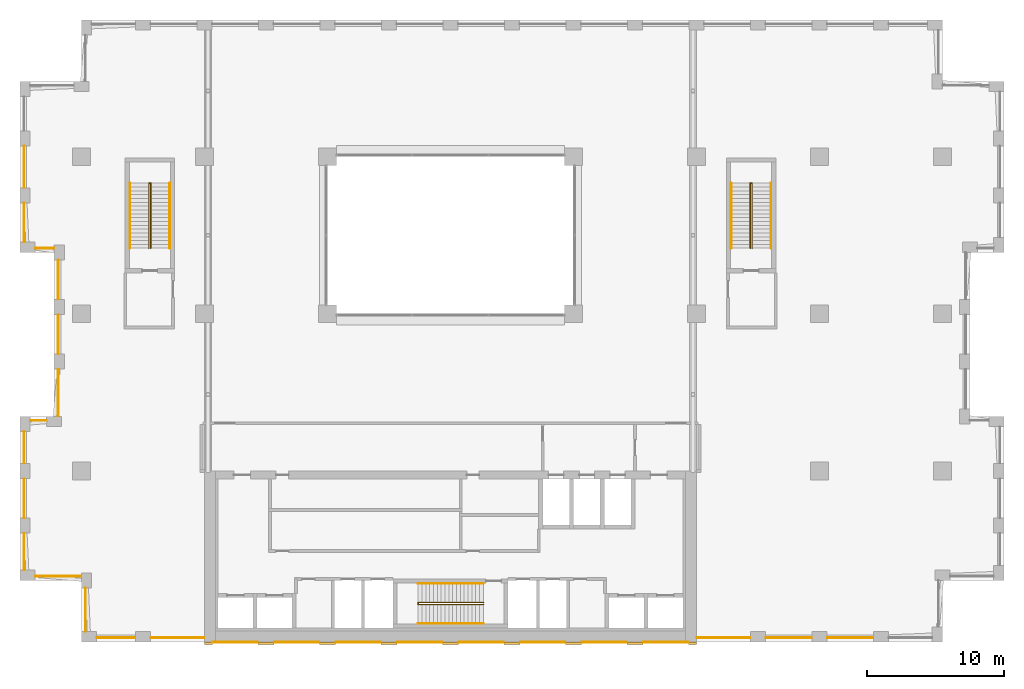
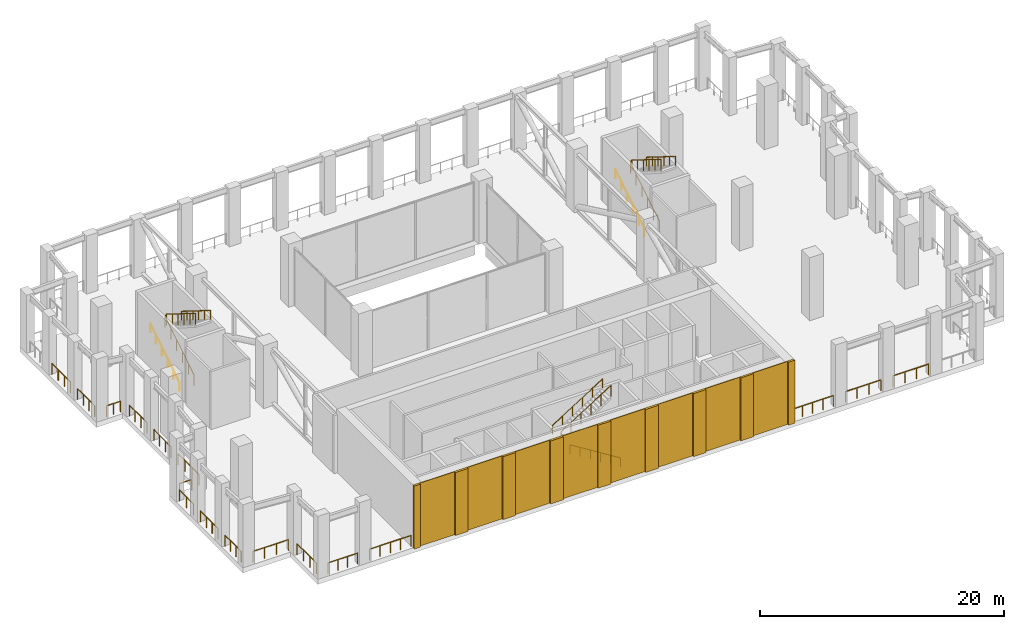
# One storey, part 13 of 14: 26 railings, 17 coverings.
"""IFC4 building model written with IfcOpenShell, lengths in metres."""

from ifc_helpers import new_model, si_unit, direction, frame, origin, origin_2d, place, context, subcontext, project, spatial, rectangle, circle, extrude, material, layer, layer_set, type_object, element, save


model = new_model("IFC4")

# Units and contexts
model_context = context("Model", 3, precision=1e-05, world=origin(), true_north=direction((0.0, 1.0)))
body_context = subcontext(model_context, "Body", "Model", "MODEL_VIEW")
ifc_project = project(units=[si_unit("LENGTHUNIT", "METRE"), si_unit("AREAUNIT", "SQUARE_METRE"), si_unit("VOLUMEUNIT", "CUBIC_METRE"), si_unit("PLANEANGLEUNIT", "RADIAN"), si_unit("MASSUNIT", "GRAM", prefix="KILO")], contexts=[model_context])

# Site, building, storey
site_placement = place(None, origin())
site = spatial("IfcSite", under=ifc_project, at=site_placement, CompositionType="ELEMENT")
building_placement = place(site_placement, origin())
building = spatial("IfcBuilding", under=site, at=building_placement, Name="Brigalow Station Residences", CompositionType="ELEMENT")
storey_placement = place(building_placement, frame((0.0, 0.0, 130.800048828125)))
storey = spatial("IfcBuildingStorey", under=building, at=storey_placement, Name="L38", CompositionType="ELEMENT", Elevation=130.800048828125)

# Railings
ifc_material_1 = material(Name="Stainless steel balustrade with laminated glass infill", Category="steel")
railing_type_1 = type_object("IfcRailingType", Name="BALCONY GUARD 1100", PredefinedType="GUARDRAIL", material=ifc_material_1)
railing_1_placement = place(storey_placement, frame((10.123046875, 0.300048828125, 0.0)))
element("IfcRailing", 1, at=railing_1_placement, inside=storey, type_object=railing_type_1, Name="L38/edge-guard/W-L38-1-1", PredefinedType="GUARDRAIL", context=body_context, shape_type="SweptSolid", body=[
    extrude(circle(Radius=0.02392578125, at=origin_2d()), frame((0.0, 0.0, 1.076171875), z_axis=(1.0, 0.0, 0.0), x_axis=(0.0, 1.0, 0.0)), (0.0, 0.0, 1.0), 2.803955078125),
    extrude(circle(Radius=0.02099609375, at=origin_2d()), origin(), (0.0, 0.0, 1.0), 1.052001953125),
    extrude(circle(Radius=0.02099609375, at=origin_2d()), frame((0.9345703125, 0.0, 0.0)), (0.0, 0.0, 1.0), 1.052001953125),
    extrude(circle(Radius=0.02099609375, at=origin_2d()), frame((1.869384765625, 0.0, 0.0)), (0.0, 0.0, 1.0), 1.052001953125),
    extrude(circle(Radius=0.02099609375, at=origin_2d()), frame((2.803955078125, 0.0, 0.0)), (0.0, 0.0, 1.0), 1.052001953125),
])
for number, where, name in (
    (2, (14.072998046875, 0.300048828125, 0.0), "L38/edge-guard/W-L38-1-2"),
    (3, (54.02294921875, 0.300048828125, 0.0), "L38/edge-guard/W-L38-4-3"),
):
    element("IfcRailing", number, at=place(storey_placement, frame(where)), inside=storey, type_object=railing_type_1, Name=name, PredefinedType="GUARDRAIL", context=body_context, shape_type="SweptSolid", body=[
        extrude(circle(Radius=0.02392578125, at=origin_2d()), frame((0.0, 0.0, 1.076171875), z_axis=(1.0, 0.0, 0.0), x_axis=(0.0, 1.0, 0.0)), (0.0, 0.0, 1.0), 3.904052734375),
        extrude(circle(Radius=0.02099609375, at=origin_2d()), origin(), (0.0, 0.0, 1.0), 1.052001953125),
        extrude(circle(Radius=0.02099609375, at=origin_2d()), frame((0.97607421875, 0.0, 0.0)), (0.0, 0.0, 1.0), 1.052001953125),
        extrude(circle(Radius=0.02099609375, at=origin_2d()), frame((1.9521484375, 0.0, 0.0)), (0.0, 0.0, 1.0), 1.052001953125),
        extrude(circle(Radius=0.02099609375, at=origin_2d()), frame((2.927978515625, 0.0, 0.0)), (0.0, 0.0, 1.0), 1.052001953125),
        extrude(circle(Radius=0.02099609375, at=origin_2d()), frame((3.904052734375, 0.0, 0.0)), (0.0, 0.0, 1.0), 1.052001953125),
    ])
for number, where, name in (
    (4, (59.072998046875, 0.300048828125, 0.0), "L38/edge-guard/W-L38-4-4"),
    (5, (63.572998046875, 0.300048828125, 0.0), "L38/edge-guard/W-L38-4-5"),
):
    element("IfcRailing", number, at=place(storey_placement, frame(where)), inside=storey, type_object=railing_type_1, Name=name, PredefinedType="GUARDRAIL", context=body_context, shape_type="SweptSolid", body=[
        extrude(circle(Radius=0.02392578125, at=origin_2d()), frame((0.0, 0.0, 1.076171875), z_axis=(1.0, 0.0, 0.0), x_axis=(0.0, 1.0, 0.0)), (0.0, 0.0, 1.0), 3.35400390625),
        extrude(circle(Radius=0.02099609375, at=origin_2d()), origin(), (0.0, 0.0, 1.0), 1.052001953125),
        extrude(circle(Radius=0.02099609375, at=origin_2d()), frame((1.117919921875, 0.0, 0.0)), (0.0, 0.0, 1.0), 1.052001953125),
        extrude(circle(Radius=0.02099609375, at=origin_2d()), frame((2.236083984375, 0.0, 0.0)), (0.0, 0.0, 1.0), 1.052001953125),
        extrude(circle(Radius=0.02099609375, at=origin_2d()), frame((3.35400390625, 0.0, 0.0)), (0.0, 0.0, 1.0), 1.052001953125),
    ])
railing_2_placement = place(storey_placement, frame((4.800048828125, 36.260009765625, 0.0)))
element("IfcRailing", 6, at=railing_2_placement, inside=storey, type_object=railing_type_1, Name="L38/edge-guard/W-L38-39-39", PredefinedType="GUARDRAIL", context=body_context, shape_type="SweptSolid", body=[
    extrude(circle(Radius=0.02392578125, at=origin_2d()), frame((0.0, 0.0, 1.076171875), z_axis=(0.0, -1.0, 0.0), x_axis=(1.0, 0.0, 0.0)), (0.0, 0.0, 1.0), 3.02001953125),
    extrude(circle(Radius=0.02099609375, at=origin_2d()), origin(), (0.0, 0.0, 1.0), 1.052001953125),
    extrude(circle(Radius=0.02099609375, at=origin_2d()), frame((0.0, -1.006591796875, 0.0)), (0.0, 0.0, 1.0), 1.052001953125),
    extrude(circle(Radius=0.02099609375, at=origin_2d()), frame((0.0, -2.013427734375, 0.0)), (0.0, 0.0, 1.0), 1.052001953125),
    extrude(circle(Radius=0.02099609375, at=origin_2d()), frame((0.0, -3.02001953125, 0.0)), (0.0, 0.0, 1.0), 1.052001953125),
])
railing_3_placement = place(storey_placement, frame((4.800048828125, 32.093994140625, 0.0)))
element("IfcRailing", 7, at=railing_3_placement, inside=storey, type_object=railing_type_1, Name="L38/edge-guard/W-L38-39-40", PredefinedType="GUARDRAIL", context=body_context, shape_type="SweptSolid", body=[
    extrude(circle(Radius=0.02392578125, at=origin_2d()), frame((0.0, 0.0, 1.076171875), z_axis=(0.0, -1.0, 0.0), x_axis=(1.0, 0.0, 0.0)), (0.0, 0.0, 1.0), 2.821044921875),
    extrude(circle(Radius=0.02099609375, at=origin_2d()), origin(), (0.0, 0.0, 1.0), 1.052001953125),
    extrude(circle(Radius=0.02099609375, at=origin_2d()), frame((0.0, -0.9404296875, 0.0)), (0.0, 0.0, 1.0), 1.052001953125),
    extrude(circle(Radius=0.02099609375, at=origin_2d()), frame((0.0, -1.880615234375, 0.0)), (0.0, 0.0, 1.0), 1.052001953125),
    extrude(circle(Radius=0.02099609375, at=origin_2d()), frame((0.0, -2.821044921875, 0.0)), (0.0, 0.0, 1.0), 1.052001953125),
])
railing_4_placement = place(storey_placement, frame((5.623046875, 28.800048828125, 0.0)))
element("IfcRailing", 8, at=railing_4_placement, inside=storey, type_object=railing_type_1, Name="L38/edge-guard/W-L38-42-41", PredefinedType="GUARDRAIL", context=body_context, shape_type="SweptSolid", body=[
    extrude(circle(Radius=0.02392578125, at=origin_2d()), frame((0.0, 0.0, 1.076171875), z_axis=(1.0, 0.0, 0.0), x_axis=(0.0, 1.0, 0.0)), (0.0, 0.0, 1.0), 1.35400390625),
    extrude(circle(Radius=0.02099609375, at=origin_2d()), origin(), (0.0, 0.0, 1.0), 1.052001953125),
    extrude(circle(Radius=0.02099609375, at=origin_2d()), frame((0.677001953125, 0.0, 0.0)), (0.0, 0.0, 1.0), 1.052001953125),
    extrude(circle(Radius=0.02099609375, at=origin_2d()), frame((1.35400390625, 0.0, 0.0)), (0.0, 0.0, 1.0), 1.052001953125),
])
for number, where, name in (
    (9, (7.300048828125, 27.927001953125, 0.0), "L38/edge-guard/W-L38-43-42"),
    (10, (7.300048828125, 23.927001953125, 0.0), "L38/edge-guard/W-L38-43-43"),
):
    element("IfcRailing", number, at=place(storey_placement, frame(where)), inside=storey, type_object=railing_type_1, Name=name, PredefinedType="GUARDRAIL", context=body_context, shape_type="SweptSolid", body=[
        extrude(circle(Radius=0.02392578125, at=origin_2d()), frame((0.0, 0.0, 1.076171875), z_axis=(0.0, -1.0, 0.0), x_axis=(1.0, 0.0, 0.0)), (0.0, 0.0, 1.0), 2.85400390625),
        extrude(circle(Radius=0.02099609375, at=origin_2d()), origin(), (0.0, 0.0, 1.0), 1.052001953125),
        extrude(circle(Radius=0.02099609375, at=origin_2d()), frame((0.0, -0.951416015625, 0.0)), (0.0, 0.0, 1.0), 1.052001953125),
        extrude(circle(Radius=0.02099609375, at=origin_2d()), frame((0.0, -1.902587890625, 0.0)), (0.0, 0.0, 1.0), 1.052001953125),
        extrude(circle(Radius=0.02099609375, at=origin_2d()), frame((0.0, -2.85400390625, 0.0)), (0.0, 0.0, 1.0), 1.052001953125),
    ])
railing_5_placement = place(storey_placement, frame((7.300048828125, 19.927001953125, 0.0)))
element("IfcRailing", 11, at=railing_5_placement, inside=storey, type_object=railing_type_1, Name="L38/edge-guard/W-L38-43-44", PredefinedType="GUARDRAIL", context=body_context, shape_type="SweptSolid", body=[
    extrude(circle(Radius=0.02392578125, at=origin_2d()), frame((0.0, 0.0, 1.076171875), z_axis=(0.0, -1.0, 0.0), x_axis=(1.0, 0.0, 0.0)), (0.0, 0.0, 1.0), 3.404052734375),
    extrude(circle(Radius=0.02099609375, at=origin_2d()), origin(), (0.0, 0.0, 1.0), 1.052001953125),
    extrude(circle(Radius=0.02099609375, at=origin_2d()), frame((0.0, -1.134765625, 0.0)), (0.0, 0.0, 1.0), 1.052001953125),
    extrude(circle(Radius=0.02099609375, at=origin_2d()), frame((0.0, -2.269287109375, 0.0)), (0.0, 0.0, 1.0), 1.052001953125),
    extrude(circle(Radius=0.02099609375, at=origin_2d()), frame((0.0, -3.404052734375, 0.0)), (0.0, 0.0, 1.0), 1.052001953125),
])
railing_6_placement = place(storey_placement, frame((6.427001953125, 16.199951171875, 0.0)))
element("IfcRailing", 12, at=railing_6_placement, inside=storey, type_object=railing_type_1, Name="L38/edge-guard/W-L38-46-45", PredefinedType="GUARDRAIL", context=body_context, shape_type="SweptSolid", body=[
    extrude(circle(Radius=0.02392578125, at=origin_2d()), frame((0.0, 0.0, 1.076171875), z_axis=(-1.0, 0.0, 0.0), x_axis=(0.0, -1.0, 0.0)), (0.0, 0.0, 1.0), 1.154052734375),
    extrude(circle(Radius=0.02099609375, at=origin_2d()), origin(), (0.0, 0.0, 1.0), 1.052001953125),
    extrude(circle(Radius=0.02099609375, at=origin_2d()), frame((-1.154052734375, 0.0, 0.0)), (0.0, 0.0, 1.0), 1.052001953125),
])
railing_7_placement = place(storey_placement, frame((4.800048828125, 15.376953125, 0.0)))
element("IfcRailing", 13, at=railing_7_placement, inside=storey, type_object=railing_type_1, Name="L38/edge-guard/W-L38-47-46", PredefinedType="GUARDRAIL", context=body_context, shape_type="SweptSolid", body=[
    extrude(circle(Radius=0.02392578125, at=origin_2d()), frame((0.0, 0.0, 1.076171875), z_axis=(0.0, -1.0, 0.0), x_axis=(1.0, 0.0, 0.0)), (0.0, 0.0, 1.0), 2.303955078125),
    extrude(circle(Radius=0.02099609375, at=origin_2d()), origin(), (0.0, 0.0, 1.0), 1.052001953125),
    extrude(circle(Radius=0.02099609375, at=origin_2d()), frame((0.0, -1.15185546875, 0.0)), (0.0, 0.0, 1.0), 1.052001953125),
    extrude(circle(Radius=0.02099609375, at=origin_2d()), frame((0.0, -2.303955078125, 0.0)), (0.0, 0.0, 1.0), 1.052001953125),
])
railing_8_placement = place(storey_placement, frame((4.800048828125, 11.927001953125, 0.0)))
element("IfcRailing", 14, at=railing_8_placement, inside=storey, type_object=railing_type_1, Name="L38/edge-guard/W-L38-47-47", PredefinedType="GUARDRAIL", context=body_context, shape_type="SweptSolid", body=[
    extrude(circle(Radius=0.02392578125, at=origin_2d()), frame((0.0, 0.0, 1.076171875), z_axis=(0.0, -1.0, 0.0), x_axis=(1.0, 0.0, 0.0)), (0.0, 0.0, 1.0), 2.85400390625),
    extrude(circle(Radius=0.02099609375, at=origin_2d()), origin(), (0.0, 0.0, 1.0), 1.052001953125),
    extrude(circle(Radius=0.02099609375, at=origin_2d()), frame((0.0, -0.951416015625, 0.0)), (0.0, 0.0, 1.0), 1.052001953125),
    extrude(circle(Radius=0.02099609375, at=origin_2d()), frame((0.0, -1.902587890625, 0.0)), (0.0, 0.0, 1.0), 1.052001953125),
    extrude(circle(Radius=0.02099609375, at=origin_2d()), frame((0.0, -2.85400390625, 0.0)), (0.0, 0.0, 1.0), 1.052001953125),
])
railing_9_placement = place(storey_placement, frame((4.800048828125, 7.927001953125, 0.0)))
element("IfcRailing", 15, at=railing_9_placement, inside=storey, type_object=railing_type_1, Name="L38/edge-guard/W-L38-47-48", PredefinedType="GUARDRAIL", context=body_context, shape_type="SweptSolid", body=[
    extrude(circle(Radius=0.02392578125, at=origin_2d()), frame((0.0, 0.0, 1.076171875), z_axis=(0.0, -1.0, 0.0), x_axis=(1.0, 0.0, 0.0)), (0.0, 0.0, 1.0), 2.654052734375),
    extrude(circle(Radius=0.02099609375, at=origin_2d()), origin(), (0.0, 0.0, 1.0), 1.052001953125),
    extrude(circle(Radius=0.02099609375, at=origin_2d()), frame((0.0, -0.884765625, 0.0)), (0.0, 0.0, 1.0), 1.052001953125),
    extrude(circle(Radius=0.02099609375, at=origin_2d()), frame((0.0, -1.769287109375, 0.0)), (0.0, 0.0, 1.0), 1.052001953125),
    extrude(circle(Radius=0.02099609375, at=origin_2d()), frame((0.0, -2.654052734375, 0.0)), (0.0, 0.0, 1.0), 1.052001953125),
])
railing_10_placement = place(storey_placement, frame((5.623046875, 4.800048828125, 0.0)))
element("IfcRailing", 16, at=railing_10_placement, inside=storey, type_object=railing_type_1, Name="L38/edge-guard/W-L38-50-49", PredefinedType="GUARDRAIL", context=body_context, shape_type="SweptSolid", body=[
    extrude(circle(Radius=0.02392578125, at=origin_2d()), frame((0.0, 0.0, 1.076171875), z_axis=(1.0, 0.0, 0.0), x_axis=(0.0, 1.0, 0.0)), (0.0, 0.0, 1.0), 3.35400390625),
    extrude(circle(Radius=0.02099609375, at=origin_2d()), origin(), (0.0, 0.0, 1.0), 1.052001953125),
    extrude(circle(Radius=0.02099609375, at=origin_2d()), frame((1.117919921875, 0.0, 0.0)), (0.0, 0.0, 1.0), 1.052001953125),
    extrude(circle(Radius=0.02099609375, at=origin_2d()), frame((2.236083984375, 0.0, 0.0)), (0.0, 0.0, 1.0), 1.052001953125),
    extrude(circle(Radius=0.02099609375, at=origin_2d()), frame((3.35400390625, 0.0, 0.0)), (0.0, 0.0, 1.0), 1.052001953125),
])
railing_11_placement = place(storey_placement, frame((9.300048828125, 3.927001953125, 0.0)))
element("IfcRailing", 17, at=railing_11_placement, inside=storey, type_object=railing_type_1, Name="L38/edge-guard/W-L38-51-50", PredefinedType="GUARDRAIL", context=body_context, shape_type="SweptSolid", body=[
    extrude(circle(Radius=0.02392578125, at=origin_2d()), frame((0.0, 0.0, 1.076171875), z_axis=(0.0, -1.0, 0.0), x_axis=(1.0, 0.0, 0.0)), (0.0, 0.0, 1.0), 3.154052734375),
    extrude(circle(Radius=0.02099609375, at=origin_2d()), origin(), (0.0, 0.0, 1.0), 1.052001953125),
    extrude(circle(Radius=0.02099609375, at=origin_2d()), frame((0.0, -1.05126953125, 0.0)), (0.0, 0.0, 1.0), 1.052001953125),
    extrude(circle(Radius=0.02099609375, at=origin_2d()), frame((0.0, -2.102783203125, 0.0)), (0.0, 0.0, 1.0), 1.052001953125),
    extrude(circle(Radius=0.02099609375, at=origin_2d()), frame((0.0, -3.154052734375, 0.0)), (0.0, 0.0, 1.0), 1.052001953125),
])

# Coverings
ifc_material_2 = material(Name="Clay brick masonry", Category="masonry")
ifc_layer_1 = layer(ifc_material_2, 0.06005859375)
ifc_layer_set_1 = layer_set([ifc_layer_1], Name="BRICK PANEL FACING 60")
covering_type_1 = type_object("IfcCoveringType", Name="BRICK PANEL FACING 60", PredefinedType="CLADDING", material=ifc_layer_set_1)
for number, where, z_axis, x_axis, name in (
    (18, (20.25, -0.030029296875, 0.0), (0.0, 0.0, 1.0), (1.0, 0.0, 0.0), "L38/rear-facing/panel-1"),
    (19, (24.75, -0.030029296875, 0.0), (0.0, 0.0, 1.0), (1.0, 0.0, 0.0), "L38/rear-facing/panel-2"),
    (20, (29.25, -0.030029296875, 0.0), (0.0, 0.0, 1.0), (1.0, 0.0, 0.0), "L38/rear-facing/panel-3"),
    (21, (33.75, -0.030029296875, 0.0), (0.0, 0.0, 1.0), (1.0, 0.0, 0.0), "L38/rear-facing/panel-4"),
    (22, (38.25, -0.030029296875, 0.0), (0.0, 0.0, 1.0), (1.0, 0.0, 0.0), "L38/rear-facing/panel-5"),
    (23, (42.75, -0.030029296875, 0.0), (0.0, 0.0, 1.0), (1.0, 0.0, 0.0), "L38/rear-facing/panel-6"),
    (24, (47.25, -0.030029296875, 0.0), (0.0, 0.0, 1.0), (1.0, 0.0, 0.0), "L38/rear-facing/panel-7"),
    (25, (51.75, -0.030029296875, 0.0), (0.0, 0.0, 1.0), (1.0, 0.0, 0.0), "L38/rear-facing/panel-8"),
):
    element("IfcCovering", number, at=place(storey_placement, frame(where, z_axis=z_axis, x_axis=x_axis)), inside=storey, type_object=covering_type_1, Name=name, PredefinedType="CLADDING", context=body_context, shape_type="SweptSolid", body=[
        extrude(rectangle(XDim=3.300048828125, YDim=0.06005859375, at=origin_2d()), origin(), (0.0, 0.0, 1.0), 6.300048828125),
    ])
ifc_material_3 = material(Name="Clay brick masonry", Category="masonry")
ifc_layer_2 = layer(ifc_material_3, 0.199951171875)
ifc_layer_set_2 = layer_set([ifc_layer_2], Name="BRICK PIER FACING 200")
covering_type_2 = type_object("IfcCoveringType", Name="BRICK PIER FACING 200", PredefinedType="CLADDING", material=ifc_layer_set_2)
covering_1_placement = place(storey_placement, frame((18.300048828125, -0.10009765625, 0.0), z_axis=(0.0, 0.0, 1.0), x_axis=(1.0, 0.0, 0.0)))
element("IfcCovering", 26, at=covering_1_placement, inside=storey, type_object=covering_type_2, Name="L38/rear-facing/pier-1", PredefinedType="CLADDING", context=body_context, shape_type="SweptSolid", body=[
    extrude(rectangle(XDim=0.60009765625, YDim=0.199951171875, at=origin_2d()), origin(), (0.0, 0.0, 1.0), 6.300048828125),
])
for number, where, z_axis, x_axis, name in (
    (27, (22.5, -0.10009765625, 0.0), (0.0, 0.0, 1.0), (1.0, 0.0, 0.0), "L38/rear-facing/pier-2"),
    (28, (27.0, -0.10009765625, 0.0), (0.0, 0.0, 1.0), (1.0, 0.0, 0.0), "L38/rear-facing/pier-3"),
    (29, (31.5, -0.10009765625, 0.0), (0.0, 0.0, 1.0), (1.0, 0.0, 0.0), "L38/rear-facing/pier-4"),
    (30, (36.0, -0.10009765625, 0.0), (0.0, 0.0, 1.0), (1.0, 0.0, 0.0), "L38/rear-facing/pier-5"),
    (31, (40.5, -0.10009765625, 0.0), (0.0, 0.0, 1.0), (1.0, 0.0, 0.0), "L38/rear-facing/pier-6"),
    (32, (45.0, -0.10009765625, 0.0), (0.0, 0.0, 1.0), (1.0, 0.0, 0.0), "L38/rear-facing/pier-7"),
    (33, (49.5, -0.10009765625, 0.0), (0.0, 0.0, 1.0), (1.0, 0.0, 0.0), "L38/rear-facing/pier-8"),
):
    element("IfcCovering", number, at=place(storey_placement, frame(where, z_axis=z_axis, x_axis=x_axis)), inside=storey, type_object=covering_type_2, Name=name, PredefinedType="CLADDING", context=body_context, shape_type="SweptSolid", body=[
        extrude(rectangle(XDim=1.199951171875, YDim=0.199951171875, at=origin_2d()), origin(), (0.0, 0.0, 1.0), 6.300048828125),
    ])
covering_2_placement = place(storey_placement, frame((53.699951171875, -0.10009765625, 0.0), z_axis=(0.0, 0.0, 1.0), x_axis=(1.0, 0.0, 0.0)))
element("IfcCovering", 34, at=covering_2_placement, inside=storey, type_object=covering_type_2, Name="L38/rear-facing/pier-9", PredefinedType="CLADDING", context=body_context, shape_type="SweptSolid", body=[
    extrude(rectangle(XDim=0.60009765625, YDim=0.199951171875, at=origin_2d()), origin(), (0.0, 0.0, 1.0), 6.300048828125),
])

# Railings
ifc_material_4 = material(Name="Stainless steel balustrade", Category="steel")
railing_type_2 = type_object("IfcRailingType", Name="STAIR GUARD 1100", PredefinedType="GUARDRAIL", material=ifc_material_4)
railing_12_placement = place(storey_placement, frame((38.39990234375, 2.72998046875, 0.175048828125)))
element("IfcRailing", 35, at=railing_12_placement, inside=storey, type_object=railing_type_2, Name="GUARD GR-2", PredefinedType="GUARDRAIL", context=body_context, shape_type="SweptSolid", body=[
    extrude(circle(Radius=0.02392578125, at=origin_2d()), frame((0.0, 0.0, 1.076171875), z_axis=(-0.848010521311, 0.0, 0.529979391813), x_axis=(0.0, -1.0, 0.0)), (0.0, 0.0, 1.0), 5.613037109375),
    extrude(circle(Radius=0.02392578125, at=origin_2d()), frame((-4.760009765625, 0.0, 4.05078125), z_axis=(0.0, 0.624960567888, 0.780656319122), x_axis=(-1.0, 0.0, 0.0)), (0.0, 0.0, 1.0), 0.22412109375),
    extrude(circle(Radius=0.02392578125, at=origin_2d()), frame((-4.760009765625, 0.14013671875, 4.22607421875), z_axis=(0.847990973574, 0.0, 0.530010668512), x_axis=(0.0, 1.0, 0.0)), (0.0, 0.0, 1.0), 5.61328125),
    extrude(circle(Radius=0.02099609375, at=origin_2d()), origin(), (0.0, 0.0, 1.0), 1.052001953125),
    extrude(circle(Radius=0.02099609375, at=origin_2d()), frame((-0.951904296875, 0.0, 0.594970703125)), (0.0, 0.0, 1.0), 1.052001953125),
    extrude(circle(Radius=0.02099609375, at=origin_2d()), frame((-1.904052734375, 0.0, 1.18994140625)), (0.0, 0.0, 1.0), 1.052001953125),
    extrude(circle(Radius=0.02099609375, at=origin_2d()), frame((-2.85595703125, 0.0, 1.784912109375)), (0.0, 0.0, 1.0), 1.052001953125),
    extrude(circle(Radius=0.02099609375, at=origin_2d()), frame((-3.80810546875, 0.0, 2.3798828125)), (0.0, 0.0, 1.0), 1.052001953125),
    extrude(circle(Radius=0.02099609375, at=origin_2d()), frame((-4.760009765625, 0.0, 2.974853515625)), (0.0, 0.0, 1.0), 1.052001953125),
    extrude(circle(Radius=0.02099609375, at=origin_2d()), frame((-4.760009765625, 0.14013671875, 3.14990234375)), (0.0, 0.0, 1.0), 1.052001953125),
    extrude(circle(Radius=0.02099609375, at=origin_2d()), frame((-3.80810546875, 0.14013671875, 3.744873046875)), (0.0, 0.0, 1.0), 1.052001953125),
    extrude(circle(Radius=0.02099609375, at=origin_2d()), frame((-2.85595703125, 0.14013671875, 4.33984375)), (0.0, 0.0, 1.0), 1.052001953125),
    extrude(circle(Radius=0.02099609375, at=origin_2d()), frame((-1.904052734375, 0.14013671875, 4.93505859375)), (0.0, 0.0, 1.0), 1.052001953125),
    extrude(circle(Radius=0.02099609375, at=origin_2d()), frame((-0.951904296875, 0.14013671875, 5.530029296875)), (0.0, 0.0, 1.0), 1.052001953125),
    extrude(circle(Radius=0.02099609375, at=origin_2d()), frame((0.0, 0.14013671875, 6.125)), (0.0, 0.0, 1.0), 1.052001953125),
])
railing_13_placement = place(storey_placement, frame((13.929931640625, 28.800048828125, 0.175048828125)))
element("IfcRailing", 36, at=railing_13_placement, inside=storey, type_object=railing_type_2, Name="GUARD GR-1", PredefinedType="GUARDRAIL", context=body_context, shape_type="SweptSolid", body=[
    extrude(circle(Radius=0.02392578125, at=origin_2d()), frame((0.0, 0.0, 1.076171875), z_axis=(0.0, 0.848010521311, 0.529979391813), x_axis=(-1.0, 0.0, 0.0)), (0.0, 0.0, 1.0), 5.613037109375),
    extrude(circle(Radius=0.02392578125, at=origin_2d()), frame((0.0, 4.760009765625, 4.05078125), z_axis=(0.624960567888, 0.0, 0.780656319122), x_axis=(0.0, 1.0, 0.0)), (0.0, 0.0, 1.0), 0.22412109375),
    extrude(circle(Radius=0.02392578125, at=origin_2d()), frame((0.14013671875, 4.760009765625, 4.22607421875), z_axis=(0.0, -0.847990973574, 0.530010668512), x_axis=(1.0, 0.0, 0.0)), (0.0, 0.0, 1.0), 5.61328125),
    extrude(circle(Radius=0.02099609375, at=origin_2d()), origin(), (0.0, 0.0, 1.0), 1.052001953125),
    extrude(circle(Radius=0.02099609375, at=origin_2d()), frame((0.0, 0.951904296875, 0.594970703125)), (0.0, 0.0, 1.0), 1.052001953125),
    extrude(circle(Radius=0.02099609375, at=origin_2d()), frame((0.0, 1.904052734375, 1.18994140625)), (0.0, 0.0, 1.0), 1.052001953125),
    extrude(circle(Radius=0.02099609375, at=origin_2d()), frame((0.0, 2.85595703125, 1.784912109375)), (0.0, 0.0, 1.0), 1.052001953125),
    extrude(circle(Radius=0.02099609375, at=origin_2d()), frame((0.0, 3.80810546875, 2.3798828125)), (0.0, 0.0, 1.0), 1.052001953125),
    extrude(circle(Radius=0.02099609375, at=origin_2d()), frame((0.0, 4.760009765625, 2.974853515625)), (0.0, 0.0, 1.0), 1.052001953125),
    extrude(circle(Radius=0.02099609375, at=origin_2d()), frame((0.14013671875, 4.760009765625, 3.14990234375)), (0.0, 0.0, 1.0), 1.052001953125),
    extrude(circle(Radius=0.02099609375, at=origin_2d()), frame((0.14013671875, 3.80810546875, 3.744873046875)), (0.0, 0.0, 1.0), 1.052001953125),
    extrude(circle(Radius=0.02099609375, at=origin_2d()), frame((0.14013671875, 2.85595703125, 4.33984375)), (0.0, 0.0, 1.0), 1.052001953125),
    extrude(circle(Radius=0.02099609375, at=origin_2d()), frame((0.14013671875, 1.904052734375, 4.93505859375)), (0.0, 0.0, 1.0), 1.052001953125),
    extrude(circle(Radius=0.02099609375, at=origin_2d()), frame((0.14013671875, 0.951904296875, 5.530029296875)), (0.0, 0.0, 1.0), 1.052001953125),
    extrude(circle(Radius=0.02099609375, at=origin_2d()), frame((0.14013671875, 0.0, 6.125)), (0.0, 0.0, 1.0), 1.052001953125),
])
railing_14_placement = place(storey_placement, frame((57.929931640625, 28.800048828125, 0.175048828125)))
element("IfcRailing", 37, at=railing_14_placement, inside=storey, type_object=railing_type_2, Name="GUARD GR-3", PredefinedType="GUARDRAIL", context=body_context, shape_type="SweptSolid", body=[
    extrude(circle(Radius=0.02392578125, at=origin_2d()), frame((0.0, 0.0, 1.076171875), z_axis=(0.0, 0.848010521311, 0.529979391813), x_axis=(-1.0, 0.0, 0.0)), (0.0, 0.0, 1.0), 5.613037109375),
    extrude(circle(Radius=0.02392578125, at=origin_2d()), frame((0.0, 4.760009765625, 4.05078125), z_axis=(0.624960567888, 0.0, 0.780656319122), x_axis=(0.0, 1.0, 0.0)), (0.0, 0.0, 1.0), 0.22412109375),
    extrude(circle(Radius=0.02392578125, at=origin_2d()), frame((0.14013671875, 4.760009765625, 4.22607421875), z_axis=(0.0, -0.847990973574, 0.530010668512), x_axis=(1.0, 0.0, 0.0)), (0.0, 0.0, 1.0), 5.61328125),
    extrude(circle(Radius=0.02099609375, at=origin_2d()), origin(), (0.0, 0.0, 1.0), 1.052001953125),
    extrude(circle(Radius=0.02099609375, at=origin_2d()), frame((0.0, 0.951904296875, 0.594970703125)), (0.0, 0.0, 1.0), 1.052001953125),
    extrude(circle(Radius=0.02099609375, at=origin_2d()), frame((0.0, 1.904052734375, 1.18994140625)), (0.0, 0.0, 1.0), 1.052001953125),
    extrude(circle(Radius=0.02099609375, at=origin_2d()), frame((0.0, 2.85595703125, 1.784912109375)), (0.0, 0.0, 1.0), 1.052001953125),
    extrude(circle(Radius=0.02099609375, at=origin_2d()), frame((0.0, 3.80810546875, 2.3798828125)), (0.0, 0.0, 1.0), 1.052001953125),
    extrude(circle(Radius=0.02099609375, at=origin_2d()), frame((0.0, 4.760009765625, 2.974853515625)), (0.0, 0.0, 1.0), 1.052001953125),
    extrude(circle(Radius=0.02099609375, at=origin_2d()), frame((0.14013671875, 4.760009765625, 3.14990234375)), (0.0, 0.0, 1.0), 1.052001953125),
    extrude(circle(Radius=0.02099609375, at=origin_2d()), frame((0.14013671875, 3.80810546875, 3.744873046875)), (0.0, 0.0, 1.0), 1.052001953125),
    extrude(circle(Radius=0.02099609375, at=origin_2d()), frame((0.14013671875, 2.85595703125, 4.33984375)), (0.0, 0.0, 1.0), 1.052001953125),
    extrude(circle(Radius=0.02099609375, at=origin_2d()), frame((0.14013671875, 1.904052734375, 4.93505859375)), (0.0, 0.0, 1.0), 1.052001953125),
    extrude(circle(Radius=0.02099609375, at=origin_2d()), frame((0.14013671875, 0.951904296875, 5.530029296875)), (0.0, 0.0, 1.0), 1.052001953125),
    extrude(circle(Radius=0.02099609375, at=origin_2d()), frame((0.14013671875, 0.0, 6.125)), (0.0, 0.0, 1.0), 1.052001953125),
])
ifc_material_5 = material(Name="Stainless steel handrail", Category="steel")
railing_type_3 = type_object("IfcRailingType", Name="STAIR HANDRAIL 900", PredefinedType="HANDRAIL", material=ifc_material_5)
railing_15_placement = place(storey_placement, frame((38.39990234375, 1.340087890625, 0.175048828125)))
element("IfcRailing", 38, at=railing_15_placement, inside=storey, type_object=railing_type_3, Name="HANDRAIL HR-21", PredefinedType="HANDRAIL", context=body_context, shape_type="SweptSolid", body=[
    extrude(circle(Radius=0.02392578125, at=origin_2d()), frame((0.0, 0.0, 0.8759765625), z_axis=(-0.848010521311, 0.0, 0.529979391813), x_axis=(0.0, -1.0, 0.0)), (0.0, 0.0, 1.0), 5.613037109375),
    extrude(circle(Radius=0.02099609375, at=origin_2d()), origin(), (0.0, 0.0, 1.0), 0.851806640625),
    extrude(circle(Radius=0.02099609375, at=origin_2d()), frame((-0.951904296875, 0.0, 0.594970703125)), (0.0, 0.0, 1.0), 0.851806640625),
    extrude(circle(Radius=0.02099609375, at=origin_2d()), frame((-1.904052734375, 0.0, 1.18994140625)), (0.0, 0.0, 1.0), 0.851806640625),
    extrude(circle(Radius=0.02099609375, at=origin_2d()), frame((-2.85595703125, 0.0, 1.784912109375)), (0.0, 0.0, 1.0), 0.851806640625),
    extrude(circle(Radius=0.02099609375, at=origin_2d()), frame((-3.80810546875, 0.0, 2.3798828125)), (0.0, 0.0, 1.0), 0.851806640625),
    extrude(circle(Radius=0.02099609375, at=origin_2d()), frame((-4.760009765625, 0.0, 2.974853515625)), (0.0, 0.0, 1.0), 0.851806640625),
])
railing_16_placement = place(storey_placement, frame((33.639892578125, 4.260009765625, 3.324951171875)))
element("IfcRailing", 39, at=railing_16_placement, inside=storey, type_object=railing_type_3, Name="HANDRAIL HR-22", PredefinedType="HANDRAIL", context=body_context, shape_type="SweptSolid", body=[
    extrude(circle(Radius=0.02392578125, at=origin_2d()), frame((0.0, 0.0, 0.8759765625), z_axis=(0.847990973574, 0.0, 0.530010668512), x_axis=(0.0, 1.0, 0.0)), (0.0, 0.0, 1.0), 5.61328125),
    extrude(circle(Radius=0.02099609375, at=origin_2d()), origin(), (0.0, 0.0, 1.0), 0.851806640625),
    extrude(circle(Radius=0.02099609375, at=origin_2d()), frame((0.951904296875, 0.0, 0.594970703125)), (0.0, 0.0, 1.0), 0.851806640625),
    extrude(circle(Radius=0.02099609375, at=origin_2d()), frame((1.904052734375, 0.0, 1.18994140625)), (0.0, 0.0, 1.0), 0.851806640625),
    extrude(circle(Radius=0.02099609375, at=origin_2d()), frame((2.85595703125, 0.0, 1.78515625)), (0.0, 0.0, 1.0), 0.851806640625),
    extrude(circle(Radius=0.02099609375, at=origin_2d()), frame((3.80810546875, 0.0, 2.380126953125)), (0.0, 0.0, 1.0), 0.851806640625),
    extrude(circle(Radius=0.02099609375, at=origin_2d()), frame((4.760009765625, 0.0, 2.97509765625)), (0.0, 0.0, 1.0), 0.851806640625),
])
railing_17_placement = place(storey_placement, frame((12.5400390625, 28.800048828125, 0.175048828125)))
element("IfcRailing", 40, at=railing_17_placement, inside=storey, type_object=railing_type_3, Name="HANDRAIL HR-11", PredefinedType="HANDRAIL", context=body_context, shape_type="SweptSolid", body=[
    extrude(circle(Radius=0.02392578125, at=origin_2d()), frame((0.0, 0.0, 0.8759765625), z_axis=(0.0, 0.848010521311, 0.529979391813), x_axis=(-1.0, 0.0, 0.0)), (0.0, 0.0, 1.0), 5.613037109375),
    extrude(circle(Radius=0.02099609375, at=origin_2d()), origin(), (0.0, 0.0, 1.0), 0.851806640625),
    extrude(circle(Radius=0.02099609375, at=origin_2d()), frame((0.0, 0.951904296875, 0.594970703125)), (0.0, 0.0, 1.0), 0.851806640625),
    extrude(circle(Radius=0.02099609375, at=origin_2d()), frame((0.0, 1.904052734375, 1.18994140625)), (0.0, 0.0, 1.0), 0.851806640625),
    extrude(circle(Radius=0.02099609375, at=origin_2d()), frame((0.0, 2.85595703125, 1.784912109375)), (0.0, 0.0, 1.0), 0.851806640625),
    extrude(circle(Radius=0.02099609375, at=origin_2d()), frame((0.0, 3.80810546875, 2.3798828125)), (0.0, 0.0, 1.0), 0.851806640625),
    extrude(circle(Radius=0.02099609375, at=origin_2d()), frame((0.0, 4.760009765625, 2.974853515625)), (0.0, 0.0, 1.0), 0.851806640625),
])
railing_18_placement = place(storey_placement, frame((15.4599609375, 33.56005859375, 3.324951171875)))
element("IfcRailing", 41, at=railing_18_placement, inside=storey, type_object=railing_type_3, Name="HANDRAIL HR-12", PredefinedType="HANDRAIL", context=body_context, shape_type="SweptSolid", body=[
    extrude(circle(Radius=0.02392578125, at=origin_2d()), frame((0.0, 0.0, 0.8759765625), z_axis=(0.0, -0.847990973574, 0.530010668512), x_axis=(1.0, 0.0, 0.0)), (0.0, 0.0, 1.0), 5.61328125),
    extrude(circle(Radius=0.02099609375, at=origin_2d()), origin(), (0.0, 0.0, 1.0), 0.851806640625),
    extrude(circle(Radius=0.02099609375, at=origin_2d()), frame((0.0, -0.951904296875, 0.594970703125)), (0.0, 0.0, 1.0), 0.851806640625),
    extrude(circle(Radius=0.02099609375, at=origin_2d()), frame((0.0, -1.904052734375, 1.18994140625)), (0.0, 0.0, 1.0), 0.851806640625),
    extrude(circle(Radius=0.02099609375, at=origin_2d()), frame((0.0, -2.85595703125, 1.78515625)), (0.0, 0.0, 1.0), 0.851806640625),
    extrude(circle(Radius=0.02099609375, at=origin_2d()), frame((0.0, -3.80810546875, 2.380126953125)), (0.0, 0.0, 1.0), 0.851806640625),
    extrude(circle(Radius=0.02099609375, at=origin_2d()), frame((0.0, -4.760009765625, 2.97509765625)), (0.0, 0.0, 1.0), 0.851806640625),
])
railing_19_placement = place(storey_placement, frame((56.5400390625, 28.800048828125, 0.175048828125)))
element("IfcRailing", 42, at=railing_19_placement, inside=storey, type_object=railing_type_3, Name="HANDRAIL HR-31", PredefinedType="HANDRAIL", context=body_context, shape_type="SweptSolid", body=[
    extrude(circle(Radius=0.02392578125, at=origin_2d()), frame((0.0, 0.0, 0.8759765625), z_axis=(0.0, 0.848010521311, 0.529979391813), x_axis=(-1.0, 0.0, 0.0)), (0.0, 0.0, 1.0), 5.613037109375),
    extrude(circle(Radius=0.02099609375, at=origin_2d()), origin(), (0.0, 0.0, 1.0), 0.851806640625),
    extrude(circle(Radius=0.02099609375, at=origin_2d()), frame((0.0, 0.951904296875, 0.594970703125)), (0.0, 0.0, 1.0), 0.851806640625),
    extrude(circle(Radius=0.02099609375, at=origin_2d()), frame((0.0, 1.904052734375, 1.18994140625)), (0.0, 0.0, 1.0), 0.851806640625),
    extrude(circle(Radius=0.02099609375, at=origin_2d()), frame((0.0, 2.85595703125, 1.784912109375)), (0.0, 0.0, 1.0), 0.851806640625),
    extrude(circle(Radius=0.02099609375, at=origin_2d()), frame((0.0, 3.80810546875, 2.3798828125)), (0.0, 0.0, 1.0), 0.851806640625),
    extrude(circle(Radius=0.02099609375, at=origin_2d()), frame((0.0, 4.760009765625, 2.974853515625)), (0.0, 0.0, 1.0), 0.851806640625),
])
railing_20_placement = place(storey_placement, frame((59.4599609375, 33.56005859375, 3.324951171875)))
element("IfcRailing", 43, at=railing_20_placement, inside=storey, type_object=railing_type_3, Name="HANDRAIL HR-32", PredefinedType="HANDRAIL", context=body_context, shape_type="SweptSolid", body=[
    extrude(circle(Radius=0.02392578125, at=origin_2d()), frame((0.0, 0.0, 0.8759765625), z_axis=(0.0, -0.847990973574, 0.530010668512), x_axis=(1.0, 0.0, 0.0)), (0.0, 0.0, 1.0), 5.61328125),
    extrude(circle(Radius=0.02099609375, at=origin_2d()), origin(), (0.0, 0.0, 1.0), 0.851806640625),
    extrude(circle(Radius=0.02099609375, at=origin_2d()), frame((0.0, -0.951904296875, 0.594970703125)), (0.0, 0.0, 1.0), 0.851806640625),
    extrude(circle(Radius=0.02099609375, at=origin_2d()), frame((0.0, -1.904052734375, 1.18994140625)), (0.0, 0.0, 1.0), 0.851806640625),
    extrude(circle(Radius=0.02099609375, at=origin_2d()), frame((0.0, -2.85595703125, 1.78515625)), (0.0, 0.0, 1.0), 0.851806640625),
    extrude(circle(Radius=0.02099609375, at=origin_2d()), frame((0.0, -3.80810546875, 2.380126953125)), (0.0, 0.0, 1.0), 0.851806640625),
    extrude(circle(Radius=0.02099609375, at=origin_2d()), frame((0.0, -4.760009765625, 2.97509765625)), (0.0, 0.0, 1.0), 0.851806640625),
])

save(model, "model.ifc")
